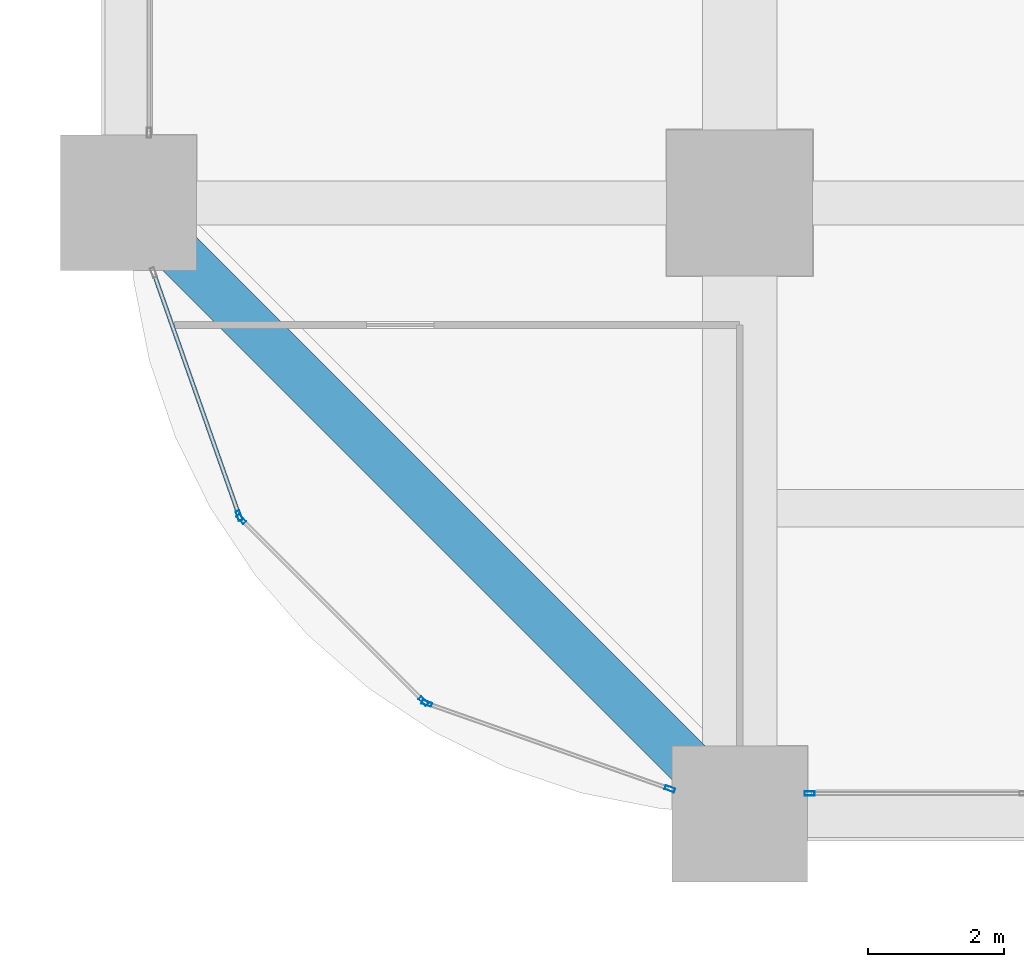
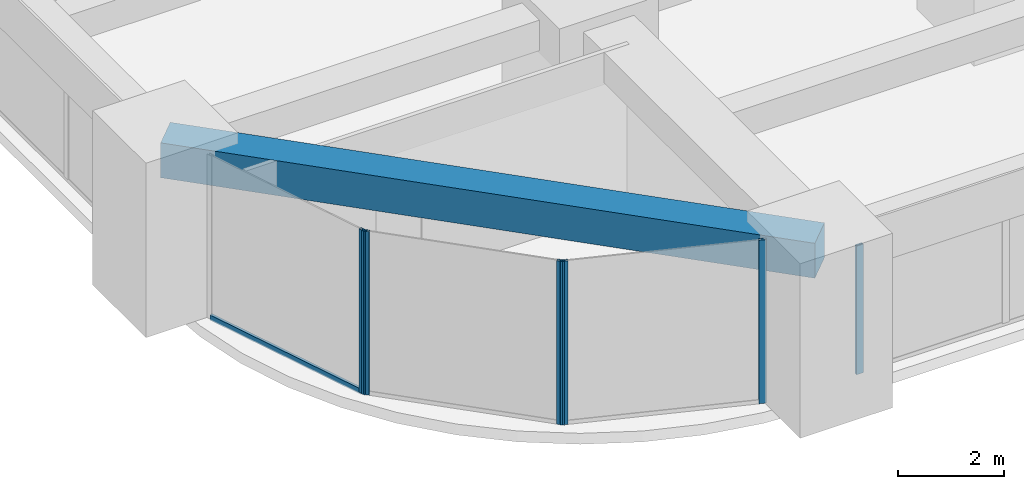
# One storey, part 2 of 41: 7 members, 1 beam, 4 elements without a shape of their own.
"""IFC4 building model written with IfcOpenShell, lengths in metres."""

from ifc_helpers import new_model, si_unit, direction, frame, origin, origin_2d, place, context, subcontext, project, spatial, rectangle, hollow_rectangle, extrude, material, material_profile, profile_set, type_object, element, aggregate, save


model = new_model("IFC4")

# Units and contexts
model_context = context("Model", 3, precision=1e-05, world=origin(), true_north=direction((0.0, 1.0)))
body_context = subcontext(model_context, "Body", "Model", "MODEL_VIEW")
ifc_project = project(units=[si_unit("LENGTHUNIT", "METRE"), si_unit("AREAUNIT", "SQUARE_METRE"), si_unit("VOLUMEUNIT", "CUBIC_METRE"), si_unit("PLANEANGLEUNIT", "RADIAN"), si_unit("MASSUNIT", "GRAM", prefix="KILO")], contexts=[model_context])

# Site, building, storey
site_placement = place(None, origin())
site = spatial("IfcSite", under=ifc_project, at=site_placement, CompositionType="ELEMENT")
building_placement = place(site_placement, origin())
building = spatial("IfcBuilding", under=site, at=building_placement, Name="Zorevar Civic Tower", CompositionType="ELEMENT")
storey_placement = place(building_placement, frame((0.0, 0.0, 89.0)))
storey = spatial("IfcBuildingStorey", under=building, at=storey_placement, Name="L21", CompositionType="ELEMENT", Elevation=89.0)

# Curtain wall, member
ifc_material_1 = material(Name="Dark grey solar-control glass in black aluminium frame", Category="aluminium")
curtain_wall_type = type_object("IfcCurtainWallType", Name="Curtain wall CW3 mid zone", PredefinedType="NOTDEFINED", material=ifc_material_1)
curtain_wall_1_placement = place(storey_placement, origin())
curtain_wall_1 = element("IfcCurtainWall", 1, at=curtain_wall_1_placement, inside=storey, type_object=curtain_wall_type, Name="CW3 L21", PredefinedType="NOTDEFINED")
ifc_material_2 = material(Name="Aluminium, black anodised", Category="aluminium")
ifc_material_profile_1 = material_profile(ifc_material_2, hollow_rectangle(XDim=0.06005859375, YDim=0.14990234375, WallThickness=0.00390625, at=origin_2d()), Name="AL 150x60x4")
ifc_profile_set_1 = profile_set([ifc_material_profile_1], Name="Aluminium, black anodised")
member_type_1 = type_object("IfcMemberType", Name="CW3 mullion AL 150x60x4", PredefinedType="MULLION", material=ifc_profile_set_1)
member_1_placement = place(storey_placement, frame((10.030029296875, 0.300048828125, 0.0), z_axis=(0.0, 0.0, 1.0), x_axis=(0.0, 1.0, 0.0)))
member_1 = element("IfcMember", 2, at=member_1_placement, type_object=member_type_1, Name="CW3 mullion 1", PredefinedType="MULLION", context=body_context, shape_type="SweptSolid", body=[
    extrude(hollow_rectangle(XDim=0.06005859375, YDim=0.14990234375, WallThickness=0.00390625, at=origin_2d()), origin(), (0.0, 0.0, 1.0), 2.949951171875),
])
aggregate(curtain_wall_1, [member_1])

curtain_wall_2_placement = place(storey_placement, origin())
curtain_wall_2 = element("IfcCurtainWall", 3, at=curtain_wall_2_placement, inside=storey, type_object=curtain_wall_type, Name="CW3 L21", PredefinedType="NOTDEFINED")
member_2_placement = place(storey_placement, frame((1.628173828125, 4.392333984375, 0.0), z_axis=(0.0, 0.0, 1.0), x_axis=(0.943219107653, 0.33217121332, 0.0)))
member_2 = element("IfcMember", 4, at=member_2_placement, type_object=member_type_1, Name="CW3 mullion 2", PredefinedType="MULLION", context=body_context, shape_type="SweptSolid", body=[
    extrude(hollow_rectangle(XDim=0.06005859375, YDim=0.14990234375, WallThickness=0.00390625, at=origin_2d()), origin(), (0.0, 0.0, 1.0), 3.75),
])

# Curtain wall, members
curtain_wall_3_placement = place(storey_placement, origin())
curtain_wall_3 = element("IfcCurtainWall", 5, at=curtain_wall_3_placement, inside=storey, type_object=curtain_wall_type, Name="CW3 L21", PredefinedType="NOTDEFINED")
member_3_placement = place(storey_placement, frame((1.659423828125, 4.3427734375, 0.0), z_axis=(0.0, 0.0, 1.0), x_axis=(0.707106781187, 0.707106781187, 0.0)))
member_3 = element("IfcMember", 6, at=member_3_placement, type_object=member_type_1, Name="CW3 mullion 1", PredefinedType="MULLION", context=body_context, shape_type="SweptSolid", body=[
    extrude(hollow_rectangle(XDim=0.06005859375, YDim=0.14990234375, WallThickness=0.00390625, at=origin_2d()), origin(), (0.0, 0.0, 1.0), 3.75),
])
member_4_placement = place(storey_placement, frame((4.3427734375, 1.659423828125, 0.0), z_axis=(0.0, 0.0, 1.0), x_axis=(0.707106781187, 0.707106781187, 0.0)))
member_4 = element("IfcMember", 7, at=member_4_placement, type_object=member_type_1, Name="CW3 mullion 2", PredefinedType="MULLION", context=body_context, shape_type="SweptSolid", body=[
    extrude(hollow_rectangle(XDim=0.06005859375, YDim=0.14990234375, WallThickness=0.00390625, at=origin_2d()), origin(), (0.0, 0.0, 1.0), 3.75),
])
aggregate(curtain_wall_3, [member_3, member_4])

curtain_wall_4_placement = place(storey_placement, origin())
curtain_wall_4 = element("IfcCurtainWall", 8, at=curtain_wall_4_placement, inside=storey, type_object=curtain_wall_type, Name="CW3 L21", PredefinedType="NOTDEFINED")
member_5_placement = place(storey_placement, frame((4.392333984375, 1.628173828125, 0.0), z_axis=(0.0, 0.0, 1.0), x_axis=(0.33217121332, 0.943219107653, 0.0)))
member_5 = element("IfcMember", 9, at=member_5_placement, type_object=member_type_1, Name="CW3 mullion 1", PredefinedType="MULLION", context=body_context, shape_type="SweptSolid", body=[
    extrude(hollow_rectangle(XDim=0.06005859375, YDim=0.14990234375, WallThickness=0.00390625, at=origin_2d()), origin(), (0.0, 0.0, 1.0), 3.75),
])
member_6_placement = place(storey_placement, frame((7.9716796875, 0.36767578125, 0.0), z_axis=(0.0, 0.0, 1.0), x_axis=(0.33217121332, 0.943219107653, 0.0)))
member_6 = element("IfcMember", 10, at=member_6_placement, type_object=member_type_1, Name="CW3 mullion 2", PredefinedType="MULLION", context=body_context, shape_type="SweptSolid", body=[
    extrude(hollow_rectangle(XDim=0.06005859375, YDim=0.14990234375, WallThickness=0.00390625, at=origin_2d()), origin(), (0.0, 0.0, 1.0), 3.75),
])
aggregate(curtain_wall_4, [member_5, member_6])

# Member
ifc_material_3 = material(Name="Aluminium, black anodised", Category="aluminium")
ifc_material_profile_2 = material_profile(ifc_material_3, hollow_rectangle(XDim=0.06005859375, YDim=0.1201171875, WallThickness=0.0029296875, at=origin_2d()), Name="AL 120x60x3")
ifc_profile_set_2 = profile_set([ifc_material_profile_2], Name="Aluminium, black anodised")
member_type_2 = type_object("IfcMemberType", Name="CW3 transom AL 120x60x3", PredefinedType="USERDEFINED", material=ifc_profile_set_2)
member_7_placement = place(storey_placement, frame((0.377685546875, 7.943359375, 0.030029296875), z_axis=(0.332146417176, -0.943227839685, 0.0), x_axis=(0.943227839685, 0.332146417176, 0.0)))
member_7 = element("IfcMember", 11, at=member_7_placement, type_object=member_type_2, Name="CW3 sill transom", ObjectType="TRANSOM", PredefinedType="USERDEFINED", context=body_context, shape_type="SweptSolid", body=[
    extrude(hollow_rectangle(XDim=0.06005859375, YDim=0.1201171875, WallThickness=0.0029296875, at=origin_2d()), origin(), (0.0, 0.0, 1.0), 3.734619140625),
])

aggregate(curtain_wall_2, [member_2, member_7])

# Beam
ifc_material_4 = material(Name="Concrete C50/60", Category="concrete")
ifc_material_profile_3 = material_profile(ifc_material_4, rectangle(XDim=0.699951171875, YDim=0.800048828125, at=origin_2d()), Name="RC 700x800")
ifc_profile_set_3 = profile_set([ifc_material_profile_3], Name="Concrete C50/60")
beam_type = type_object("IfcBeamType", Name="Edge beam RC 700x800", PredefinedType="SPANDREL", material=ifc_profile_set_3)
beam_placement = place(storey_placement, frame((0.0, 9.0, 3.35009765625), z_axis=(0.707106781187, -0.707106781187, 0.0), x_axis=(0.707106781187, 0.707106781187, 0.0)))
element("IfcBeam", 12, at=beam_placement, inside=storey, type_object=beam_type, Name="Corner edge beam L22", PredefinedType="SPANDREL", context=body_context, shape_type="SweptSolid", body=[
    extrude(rectangle(XDim=0.699951171875, YDim=0.800048828125, at=origin_2d()), origin(), (0.0, 0.0, 1.0), 12.72802734375),
])

save(model, "model.ifc")
